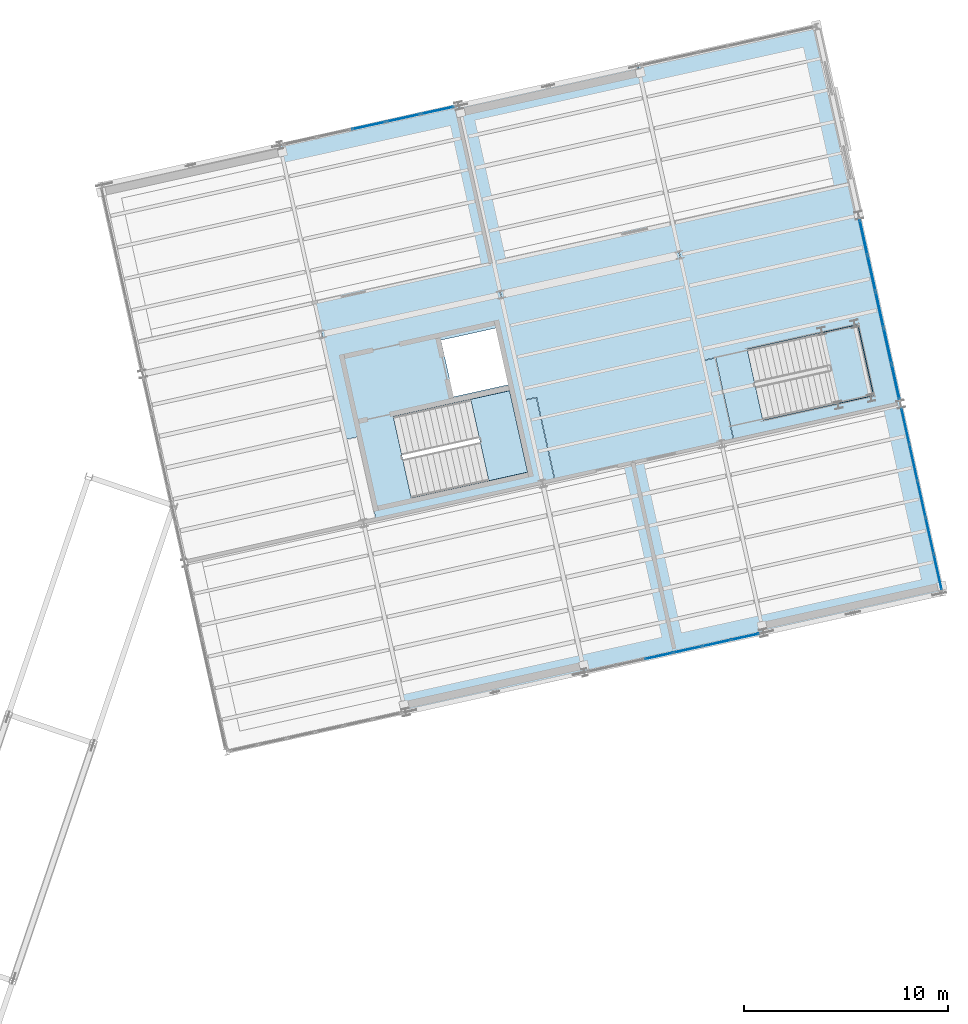
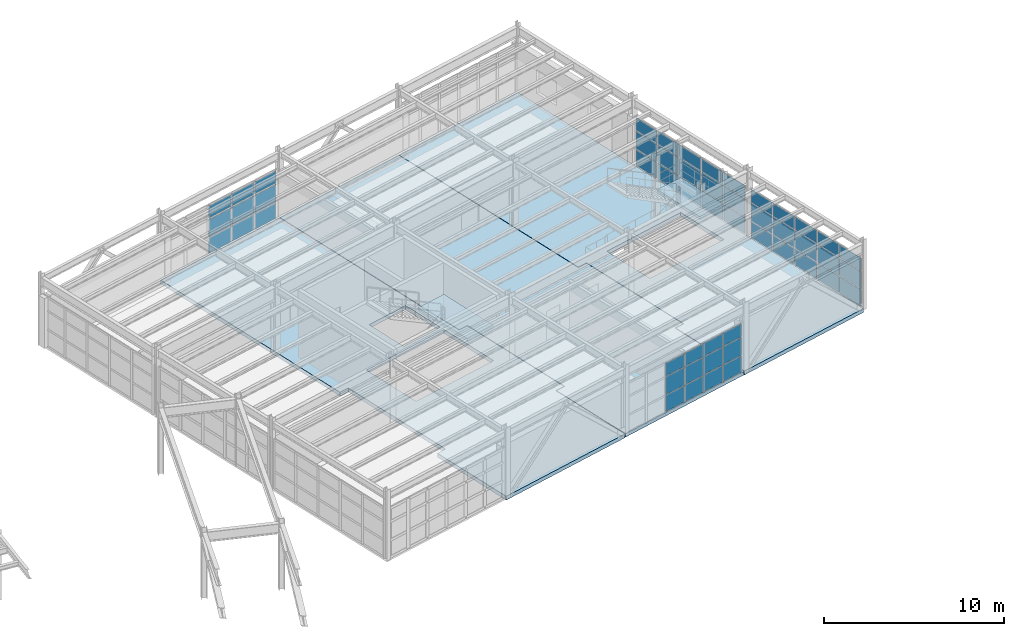
# One storey, part 75 of 109: 51 plates, 5 slabs, 6 elements without a shape of their own.
"""IFC4 building model written with IfcOpenShell, lengths in metres."""

from ifc_helpers import new_model, si_unit, direction, frame, origin, origin_2d, place, context, subcontext, project, spatial, polyline, rectangle, outline, extrude, material, layer, layer_set, type_object, element, aggregate, save


model = new_model("IFC4")

# Units and contexts
model_context = context("Model", 3, precision=1e-05, world=origin(), true_north=direction((0.0, 1.0)))
body_context = subcontext(model_context, "Body", "Model", "MODEL_VIEW")
ifc_project = project(units=[si_unit("LENGTHUNIT", "METRE"), si_unit("AREAUNIT", "SQUARE_METRE"), si_unit("VOLUMEUNIT", "CUBIC_METRE"), si_unit("PLANEANGLEUNIT", "RADIAN"), si_unit("MASSUNIT", "GRAM", prefix="KILO")], contexts=[model_context])

# Site, building, storey
site_placement = place(None, origin())
site = spatial("IfcSite", under=ifc_project, at=site_placement, CompositionType="ELEMENT")
building_placement = place(site_placement, origin())
building = spatial("IfcBuilding", under=site, at=building_placement, Name="Vireo Bluff Cable Station", CompositionType="ELEMENT")
storey_placement = place(building_placement, frame((0.0, 0.0, 4.800048828125)))
storey = spatial("IfcBuildingStorey", under=building, at=storey_placement, Name="L01", CompositionType="ELEMENT", Elevation=4.800048828125)

# Curtain wall, plates
ifc_material_1 = material(Name="Anodized Aluminium 6063-T6", Category="aluminium")
ifc_layer_1 = layer(ifc_material_1, 0.159912109375, Name="Anodized Aluminium 6063-T6")
ifc_layer_set_1 = layer_set([ifc_layer_1], Name="Anodized Aluminium 6063-T6")
curtain_wall_type_1 = type_object("IfcCurtainWallType", Name="CW-STICK-1750", PredefinedType="USERDEFINED", material=ifc_layer_set_1)
curtain_wall_1_placement = place(storey_placement, origin())
curtain_wall_1 = element("IfcCurtainWall", 1, at=curtain_wall_1_placement, inside=storey, type_object=curtain_wall_type_1, Name="V2 L01 east curtain wall CW-050", ObjectType="STICK CURTAIN WALL", PredefinedType="USERDEFINED")
ifc_material_2 = material(Name="Laminated Low-E Insulated Glass", Category="glass")
ifc_layer_2 = layer(ifc_material_2, 0.028076171875, Name="Laminated Low-E Insulated Glass")
ifc_layer_set_2 = layer_set([ifc_layer_2], Name="Laminated Low-E Insulated Glass")
plate_type_1 = type_object("IfcPlateType", Name="CWP-28-1", PredefinedType="CURTAIN_PANEL", material=ifc_layer_set_2)
plate_1_placement = place(storey_placement, frame((159.33203125, 89.977294921875, 0.059814453125), z_axis=(0.0, 0.0, 1.0), x_axis=(0.216439612405, -0.97629600746, 0.0)))
plate_1 = element("IfcPlate", 2, at=plate_1_placement, type_object=plate_type_1, Name="CW-050 panel 1.1", PredefinedType="CURTAIN_PANEL", context=body_context, shape_type="SweptSolid", body=[
    extrude(rectangle(XDim=1.74755859375, YDim=0.028076171875, at=origin_2d()), origin(), (0.0, 0.0, 1.0), 1.10009765625),
])
plate_2_placement = place(storey_placement, frame((159.33203125, 89.977294921875, 1.2197265625), z_axis=(0.0, 0.0, 1.0), x_axis=(0.216439612405, -0.97629600746, 0.0)))
plate_2 = element("IfcPlate", 3, at=plate_2_placement, type_object=plate_type_1, Name="CW-050 panel 1.2", PredefinedType="CURTAIN_PANEL", context=body_context, shape_type="SweptSolid", body=[
    extrude(rectangle(XDim=1.74755859375, YDim=0.028076171875, at=origin_2d()), origin(), (0.0, 0.0, 1.0), 1.197998046875),
])
plate_3_placement = place(storey_placement, frame((159.33203125, 89.977294921875, 2.47802734375), z_axis=(0.0, 0.0, 1.0), x_axis=(0.216439612405, -0.97629600746, 0.0)))
plate_3 = element("IfcPlate", 4, at=plate_3_placement, type_object=plate_type_1, Name="CW-050 panel 1.3", PredefinedType="CURTAIN_PANEL", context=body_context, shape_type="SweptSolid", body=[
    extrude(rectangle(XDim=1.74755859375, YDim=0.028076171875, at=origin_2d()), origin(), (0.0, 0.0, 1.0), 0.862060546875),
])
plate_4_placement = place(storey_placement, frame((159.7265625, 88.197998046875, 0.059814453125), z_axis=(0.0, 0.0, 1.0), x_axis=(0.216439612405, -0.97629600746, 0.0)))
plate_4 = element("IfcPlate", 5, at=plate_4_placement, type_object=plate_type_1, Name="CW-050 panel 2.1", PredefinedType="CURTAIN_PANEL", context=body_context, shape_type="SweptSolid", body=[
    extrude(rectangle(XDim=1.777587890625, YDim=0.028076171875, at=origin_2d()), origin(), (0.0, 0.0, 1.0), 1.10009765625),
])
plate_5_placement = place(storey_placement, frame((159.7265625, 88.197998046875, 1.2197265625), z_axis=(0.0, 0.0, 1.0), x_axis=(0.216439612405, -0.97629600746, 0.0)))
plate_5 = element("IfcPlate", 6, at=plate_5_placement, type_object=plate_type_1, Name="CW-050 panel 2.2", PredefinedType="CURTAIN_PANEL", context=body_context, shape_type="SweptSolid", body=[
    extrude(rectangle(XDim=1.777587890625, YDim=0.028076171875, at=origin_2d()), origin(), (0.0, 0.0, 1.0), 1.197998046875),
])
plate_6_placement = place(storey_placement, frame((159.7265625, 88.197998046875, 2.47802734375), z_axis=(0.0, 0.0, 1.0), x_axis=(0.216439612405, -0.97629600746, 0.0)))
plate_6 = element("IfcPlate", 7, at=plate_6_placement, type_object=plate_type_1, Name="CW-050 panel 2.3", PredefinedType="CURTAIN_PANEL", context=body_context, shape_type="SweptSolid", body=[
    extrude(rectangle(XDim=1.777587890625, YDim=0.028076171875, at=origin_2d()), origin(), (0.0, 0.0, 1.0), 0.862060546875),
])
plate_7_placement = place(storey_placement, frame((160.124267578125, 86.40380859375, 0.059814453125), z_axis=(0.0, 0.0, 1.0), x_axis=(0.216439612405, -0.97629600746, 0.0)))
plate_7 = element("IfcPlate", 8, at=plate_7_placement, type_object=plate_type_1, Name="CW-050 panel 3.1", PredefinedType="CURTAIN_PANEL", context=body_context, shape_type="SweptSolid", body=[
    extrude(rectangle(XDim=1.777587890625, YDim=0.028076171875, at=origin_2d()), origin(), (0.0, 0.0, 1.0), 1.10009765625),
])
plate_8_placement = place(storey_placement, frame((160.124267578125, 86.40380859375, 1.2197265625), z_axis=(0.0, 0.0, 1.0), x_axis=(0.216439612405, -0.97629600746, 0.0)))
plate_8 = element("IfcPlate", 9, at=plate_8_placement, type_object=plate_type_1, Name="CW-050 panel 3.2", PredefinedType="CURTAIN_PANEL", context=body_context, shape_type="SweptSolid", body=[
    extrude(rectangle(XDim=1.777587890625, YDim=0.028076171875, at=origin_2d()), origin(), (0.0, 0.0, 1.0), 1.197998046875),
])
plate_9_placement = place(storey_placement, frame((160.124267578125, 86.40380859375, 2.47802734375), z_axis=(0.0, 0.0, 1.0), x_axis=(0.216439612405, -0.97629600746, 0.0)))
plate_9 = element("IfcPlate", 10, at=plate_9_placement, type_object=plate_type_1, Name="CW-050 panel 3.3", PredefinedType="CURTAIN_PANEL", context=body_context, shape_type="SweptSolid", body=[
    extrude(rectangle(XDim=1.777587890625, YDim=0.028076171875, at=origin_2d()), origin(), (0.0, 0.0, 1.0), 0.862060546875),
])
plate_10_placement = place(storey_placement, frame((160.52197265625, 84.60986328125, 0.059814453125), z_axis=(0.0, 0.0, 1.0), x_axis=(0.216439612405, -0.97629600746, 0.0)))
plate_10 = element("IfcPlate", 11, at=plate_10_placement, type_object=plate_type_1, Name="CW-050 panel 4.1", PredefinedType="CURTAIN_PANEL", context=body_context, shape_type="SweptSolid", body=[
    extrude(rectangle(XDim=1.777587890625, YDim=0.028076171875, at=origin_2d()), origin(), (0.0, 0.0, 1.0), 1.10009765625),
])
plate_11_placement = place(storey_placement, frame((160.52197265625, 84.60986328125, 1.2197265625), z_axis=(0.0, 0.0, 1.0), x_axis=(0.216439612405, -0.97629600746, 0.0)))
plate_11 = element("IfcPlate", 12, at=plate_11_placement, type_object=plate_type_1, Name="CW-050 panel 4.2", PredefinedType="CURTAIN_PANEL", context=body_context, shape_type="SweptSolid", body=[
    extrude(rectangle(XDim=1.777587890625, YDim=0.028076171875, at=origin_2d()), origin(), (0.0, 0.0, 1.0), 1.197998046875),
])
plate_12_placement = place(storey_placement, frame((160.52197265625, 84.60986328125, 2.47802734375), z_axis=(0.0, 0.0, 1.0), x_axis=(0.216439612405, -0.97629600746, 0.0)))
plate_12 = element("IfcPlate", 13, at=plate_12_placement, type_object=plate_type_1, Name="CW-050 panel 4.3", PredefinedType="CURTAIN_PANEL", context=body_context, shape_type="SweptSolid", body=[
    extrude(rectangle(XDim=1.777587890625, YDim=0.028076171875, at=origin_2d()), origin(), (0.0, 0.0, 1.0), 0.862060546875),
])
plate_13_placement = place(storey_placement, frame((160.91650390625, 82.830322265625, 0.059814453125), z_axis=(0.0, 0.0, 1.0), x_axis=(0.216439612405, -0.97629600746, 0.0)))
plate_13 = element("IfcPlate", 14, at=plate_13_placement, type_object=plate_type_1, Name="CW-050 panel 5.1", PredefinedType="CURTAIN_PANEL", context=body_context, shape_type="SweptSolid", body=[
    extrude(rectangle(XDim=1.74755859375, YDim=0.028076171875, at=origin_2d()), origin(), (0.0, 0.0, 1.0), 1.10009765625),
])
plate_14_placement = place(storey_placement, frame((160.91650390625, 82.830322265625, 1.2197265625), z_axis=(0.0, 0.0, 1.0), x_axis=(0.216439612405, -0.97629600746, 0.0)))
plate_14 = element("IfcPlate", 15, at=plate_14_placement, type_object=plate_type_1, Name="CW-050 panel 5.2", PredefinedType="CURTAIN_PANEL", context=body_context, shape_type="SweptSolid", body=[
    extrude(rectangle(XDim=1.74755859375, YDim=0.028076171875, at=origin_2d()), origin(), (0.0, 0.0, 1.0), 1.197998046875),
])
plate_15_placement = place(storey_placement, frame((160.91650390625, 82.830322265625, 2.47802734375), z_axis=(0.0, 0.0, 1.0), x_axis=(0.216439612405, -0.97629600746, 0.0)))
plate_15 = element("IfcPlate", 16, at=plate_15_placement, type_object=plate_type_1, Name="CW-050 panel 5.3", PredefinedType="CURTAIN_PANEL", context=body_context, shape_type="SweptSolid", body=[
    extrude(rectangle(XDim=1.74755859375, YDim=0.028076171875, at=origin_2d()), origin(), (0.0, 0.0, 1.0), 0.862060546875),
])
aggregate(curtain_wall_1, [plate_1, plate_2, plate_3, plate_4, plate_5, plate_6, plate_7, plate_8, plate_9, plate_10, plate_11, plate_12, plate_13, plate_14, plate_15])

ifc_layer_3 = layer(ifc_material_1, 0.179931640625, Name="Anodized Aluminium 6063-T6")
ifc_layer_set_3 = layer_set([ifc_layer_3], Name="Anodized Aluminium 6063-T6")
curtain_wall_type_2 = type_object("IfcCurtainWallType", Name="CW-UNIT-1400", PredefinedType="USERDEFINED", material=ifc_layer_set_3)
curtain_wall_2_placement = place(storey_placement, origin())
curtain_wall_2 = element("IfcCurtainWall", 17, at=curtain_wall_2_placement, inside=storey, type_object=curtain_wall_type_2, Name="V2 L01 south curtain wall CW-042", ObjectType="UNITISED CURTAIN WALL", PredefinedType="USERDEFINED")
ifc_layer_4 = layer(ifc_material_2, 0.035888671875, Name="Laminated Low-E Insulated Glass")
ifc_layer_set_4 = layer_set([ifc_layer_4], Name="Laminated Low-E Insulated Glass")
plate_type_2 = type_object("IfcPlateType", Name="CWP-36-3", PredefinedType="CURTAIN_PANEL", material=ifc_layer_set_4)
plate_16_placement = place(storey_placement, frame((151.456298828125, 79.6435546875, 0.059814453125), z_axis=(0.0, 0.0, 1.0), x_axis=(-0.976296005412, -0.21643962164, 0.0)))
plate_16 = element("IfcPlate", 18, at=plate_16_placement, type_object=plate_type_2, Name="CW-042 panel 1.1", PredefinedType="CURTAIN_PANEL", context=body_context, shape_type="SweptSolid", body=[
    extrude(rectangle(XDim=1.357177734375, YDim=0.035888671875, at=origin_2d()), origin(), (0.0, 0.0, 1.0), 1.10009765625),
])
plate_17_placement = place(storey_placement, frame((151.456298828125, 79.6435546875, 1.2197265625), z_axis=(0.0, 0.0, 1.0), x_axis=(-0.976296005412, -0.21643962164, 0.0)))
plate_17 = element("IfcPlate", 19, at=plate_17_placement, type_object=plate_type_2, Name="CW-042 panel 1.2", PredefinedType="CURTAIN_PANEL", context=body_context, shape_type="SweptSolid", body=[
    extrude(rectangle(XDim=1.357177734375, YDim=0.035888671875, at=origin_2d()), origin(), (0.0, 0.0, 1.0), 1.197998046875),
])
plate_18_placement = place(storey_placement, frame((151.456298828125, 79.6435546875, 2.47802734375), z_axis=(0.0, 0.0, 1.0), x_axis=(-0.976296005412, -0.21643962164, 0.0)))
plate_18 = element("IfcPlate", 20, at=plate_18_placement, type_object=plate_type_2, Name="CW-042 panel 1.3", PredefinedType="CURTAIN_PANEL", context=body_context, shape_type="SweptSolid", body=[
    extrude(rectangle(XDim=1.357177734375, YDim=0.035888671875, at=origin_2d()), origin(), (0.0, 0.0, 1.0), 0.862060546875),
])
plate_19_placement = place(storey_placement, frame((150.058349609375, 79.33349609375, 0.059814453125), z_axis=(0.0, 0.0, 1.0), x_axis=(-0.976296005412, -0.21643962164, 0.0)))
plate_19 = element("IfcPlate", 21, at=plate_19_placement, type_object=plate_type_2, Name="CW-042 panel 2.1", PredefinedType="CURTAIN_PANEL", context=body_context, shape_type="SweptSolid", body=[
    extrude(rectangle(XDim=1.386962890625, YDim=0.035888671875, at=origin_2d()), origin(), (0.0, 0.0, 1.0), 1.10009765625),
])
plate_20_placement = place(storey_placement, frame((150.058349609375, 79.33349609375, 1.2197265625), z_axis=(0.0, 0.0, 1.0), x_axis=(-0.976296005412, -0.21643962164, 0.0)))
plate_20 = element("IfcPlate", 22, at=plate_20_placement, type_object=plate_type_2, Name="CW-042 panel 2.2", PredefinedType="CURTAIN_PANEL", context=body_context, shape_type="SweptSolid", body=[
    extrude(rectangle(XDim=1.386962890625, YDim=0.035888671875, at=origin_2d()), origin(), (0.0, 0.0, 1.0), 1.197998046875),
])
plate_21_placement = place(storey_placement, frame((150.058349609375, 79.33349609375, 2.47802734375), z_axis=(0.0, 0.0, 1.0), x_axis=(-0.976296005412, -0.21643962164, 0.0)))
plate_21 = element("IfcPlate", 23, at=plate_21_placement, type_object=plate_type_2, Name="CW-042 panel 2.3", PredefinedType="CURTAIN_PANEL", context=body_context, shape_type="SweptSolid", body=[
    extrude(rectangle(XDim=1.386962890625, YDim=0.035888671875, at=origin_2d()), origin(), (0.0, 0.0, 1.0), 0.862060546875),
])
plate_22_placement = place(storey_placement, frame((148.6455078125, 79.020263671875, 0.059814453125), z_axis=(0.0, 0.0, 1.0), x_axis=(-0.976296005412, -0.21643962164, 0.0)))
plate_22 = element("IfcPlate", 24, at=plate_22_placement, type_object=plate_type_2, Name="CW-042 panel 3.1", PredefinedType="CURTAIN_PANEL", context=body_context, shape_type="SweptSolid", body=[
    extrude(rectangle(XDim=1.386962890625, YDim=0.035888671875, at=origin_2d()), origin(), (0.0, 0.0, 1.0), 1.10009765625),
])
plate_23_placement = place(storey_placement, frame((148.6455078125, 79.020263671875, 1.2197265625), z_axis=(0.0, 0.0, 1.0), x_axis=(-0.976296005412, -0.21643962164, 0.0)))
plate_23 = element("IfcPlate", 25, at=plate_23_placement, type_object=plate_type_2, Name="CW-042 panel 3.2", PredefinedType="CURTAIN_PANEL", context=body_context, shape_type="SweptSolid", body=[
    extrude(rectangle(XDim=1.386962890625, YDim=0.035888671875, at=origin_2d()), origin(), (0.0, 0.0, 1.0), 1.197998046875),
])
plate_24_placement = place(storey_placement, frame((148.6455078125, 79.020263671875, 2.47802734375), z_axis=(0.0, 0.0, 1.0), x_axis=(-0.976296005412, -0.21643962164, 0.0)))
plate_24 = element("IfcPlate", 26, at=plate_24_placement, type_object=plate_type_2, Name="CW-042 panel 3.3", PredefinedType="CURTAIN_PANEL", context=body_context, shape_type="SweptSolid", body=[
    extrude(rectangle(XDim=1.386962890625, YDim=0.035888671875, at=origin_2d()), origin(), (0.0, 0.0, 1.0), 0.862060546875),
])
plate_25_placement = place(storey_placement, frame((147.232666015625, 78.707275390625, 0.059814453125), z_axis=(0.0, 0.0, 1.0), x_axis=(-0.976296005412, -0.21643962164, 0.0)))
plate_25 = element("IfcPlate", 27, at=plate_25_placement, type_object=plate_type_2, Name="CW-042 panel 4.1", PredefinedType="CURTAIN_PANEL", context=body_context, shape_type="SweptSolid", body=[
    extrude(rectangle(XDim=1.386962890625, YDim=0.035888671875, at=origin_2d()), origin(), (0.0, 0.0, 1.0), 1.10009765625),
])
plate_26_placement = place(storey_placement, frame((147.232666015625, 78.707275390625, 1.2197265625), z_axis=(0.0, 0.0, 1.0), x_axis=(-0.976296005412, -0.21643962164, 0.0)))
plate_26 = element("IfcPlate", 28, at=plate_26_placement, type_object=plate_type_2, Name="CW-042 panel 4.2", PredefinedType="CURTAIN_PANEL", context=body_context, shape_type="SweptSolid", body=[
    extrude(rectangle(XDim=1.386962890625, YDim=0.035888671875, at=origin_2d()), origin(), (0.0, 0.0, 1.0), 1.197998046875),
])
plate_27_placement = place(storey_placement, frame((147.232666015625, 78.707275390625, 2.47802734375), z_axis=(0.0, 0.0, 1.0), x_axis=(-0.976296005412, -0.21643962164, 0.0)))
plate_27 = element("IfcPlate", 29, at=plate_27_placement, type_object=plate_type_2, Name="CW-042 panel 4.3", PredefinedType="CURTAIN_PANEL", context=body_context, shape_type="SweptSolid", body=[
    extrude(rectangle(XDim=1.386962890625, YDim=0.035888671875, at=origin_2d()), origin(), (0.0, 0.0, 1.0), 0.862060546875),
])
aggregate(curtain_wall_2, [plate_16, plate_17, plate_18, plate_19, plate_20, plate_21, plate_22, plate_23, plate_24, plate_25, plate_26, plate_27])

ifc_layer_5 = layer(ifc_material_1, 0.179931640625, Name="Anodized Aluminium 6063-T6")
ifc_layer_set_5 = layer_set([ifc_layer_5], Name="Anodized Aluminium 6063-T6")
curtain_wall_type_3 = type_object("IfcCurtainWallType", Name="CW-UNIT-1650", PredefinedType="USERDEFINED", material=ifc_layer_set_5)
curtain_wall_3_placement = place(storey_placement, origin())
curtain_wall_3 = element("IfcCurtainWall", 30, at=curtain_wall_3_placement, inside=storey, type_object=curtain_wall_type_3, Name="V2 L01 north curtain wall CW-047", ObjectType="UNITISED CURTAIN WALL", PredefinedType="USERDEFINED")
plate_28_placement = place(storey_placement, frame((132.98388671875, 104.740234375, 0.080078125), z_axis=(0.0, 0.0, 1.0), x_axis=(0.976296005412, 0.21643962164, 0.0)))
plate_28 = element("IfcPlate", 31, at=plate_28_placement, type_object=plate_type_2, Name="CW-047 panel 3.1", PredefinedType="CURTAIN_PANEL", context=body_context, shape_type="SweptSolid", body=[
    extrude(rectangle(XDim=1.656494140625, YDim=0.035888671875, at=origin_2d()), origin(), (0.0, 0.0, 1.0), 1.070068359375),
])
plate_29_placement = place(storey_placement, frame((132.98388671875, 104.740234375, 1.22998046875), z_axis=(0.0, 0.0, 1.0), x_axis=(0.976296005412, 0.21643962164, 0.0)))
plate_29 = element("IfcPlate", 32, at=plate_29_placement, type_object=plate_type_2, Name="CW-047 panel 3.2", PredefinedType="CURTAIN_PANEL", context=body_context, shape_type="SweptSolid", body=[
    extrude(rectangle(XDim=1.656494140625, YDim=0.035888671875, at=origin_2d()), origin(), (0.0, 0.0, 1.0), 1.177978515625),
])
plate_30_placement = place(storey_placement, frame((132.98388671875, 104.740234375, 2.488037109375), z_axis=(0.0, 0.0, 1.0), x_axis=(0.976296005412, 0.21643962164, 0.0)))
plate_30 = element("IfcPlate", 33, at=plate_30_placement, type_object=plate_type_2, Name="CW-047 panel 3.3", PredefinedType="CURTAIN_PANEL", context=body_context, shape_type="SweptSolid", body=[
    extrude(rectangle(XDim=1.656494140625, YDim=0.035888671875, at=origin_2d()), origin(), (0.0, 0.0, 1.0), 0.83203125),
])
plate_31_placement = place(storey_placement, frame((134.67919921875, 105.1162109375, 0.080078125), z_axis=(0.0, 0.0, 1.0), x_axis=(0.976296005412, 0.21643962164, 0.0)))
plate_31 = element("IfcPlate", 34, at=plate_31_placement, type_object=plate_type_2, Name="CW-047 panel 4.1", PredefinedType="CURTAIN_PANEL", context=body_context, shape_type="SweptSolid", body=[
    extrude(rectangle(XDim=1.656494140625, YDim=0.035888671875, at=origin_2d()), origin(), (0.0, 0.0, 1.0), 1.070068359375),
])
plate_32_placement = place(storey_placement, frame((134.67919921875, 105.1162109375, 1.22998046875), z_axis=(0.0, 0.0, 1.0), x_axis=(0.976296005412, 0.21643962164, 0.0)))
plate_32 = element("IfcPlate", 35, at=plate_32_placement, type_object=plate_type_2, Name="CW-047 panel 4.2", PredefinedType="CURTAIN_PANEL", context=body_context, shape_type="SweptSolid", body=[
    extrude(rectangle(XDim=1.656494140625, YDim=0.035888671875, at=origin_2d()), origin(), (0.0, 0.0, 1.0), 1.177978515625),
])
plate_33_placement = place(storey_placement, frame((134.67919921875, 105.1162109375, 2.488037109375), z_axis=(0.0, 0.0, 1.0), x_axis=(0.976296005412, 0.21643962164, 0.0)))
plate_33 = element("IfcPlate", 36, at=plate_33_placement, type_object=plate_type_2, Name="CW-047 panel 4.3", PredefinedType="CURTAIN_PANEL", context=body_context, shape_type="SweptSolid", body=[
    extrude(rectangle(XDim=1.656494140625, YDim=0.035888671875, at=origin_2d()), origin(), (0.0, 0.0, 1.0), 0.83203125),
])
plate_34_placement = place(storey_placement, frame((136.35498046875, 105.487548828125, 0.080078125), z_axis=(0.0, 0.0, 1.0), x_axis=(0.976296005412, 0.21643962164, 0.0)))
plate_34 = element("IfcPlate", 37, at=plate_34_placement, type_object=plate_type_2, Name="CW-047 panel 5.1", PredefinedType="CURTAIN_PANEL", context=body_context, shape_type="SweptSolid", body=[
    extrude(rectangle(XDim=1.616455078125, YDim=0.035888671875, at=origin_2d()), origin(), (0.0, 0.0, 1.0), 1.070068359375),
])
plate_35_placement = place(storey_placement, frame((136.35498046875, 105.487548828125, 1.22998046875), z_axis=(0.0, 0.0, 1.0), x_axis=(0.976296005412, 0.21643962164, 0.0)))
plate_35 = element("IfcPlate", 38, at=plate_35_placement, type_object=plate_type_2, Name="CW-047 panel 5.2", PredefinedType="CURTAIN_PANEL", context=body_context, shape_type="SweptSolid", body=[
    extrude(rectangle(XDim=1.616455078125, YDim=0.035888671875, at=origin_2d()), origin(), (0.0, 0.0, 1.0), 1.177978515625),
])
plate_36_placement = place(storey_placement, frame((136.35498046875, 105.487548828125, 2.488037109375), z_axis=(0.0, 0.0, 1.0), x_axis=(0.976296005412, 0.21643962164, 0.0)))
plate_36 = element("IfcPlate", 39, at=plate_36_placement, type_object=plate_type_2, Name="CW-047 panel 5.3", PredefinedType="CURTAIN_PANEL", context=body_context, shape_type="SweptSolid", body=[
    extrude(rectangle(XDim=1.616455078125, YDim=0.035888671875, at=origin_2d()), origin(), (0.0, 0.0, 1.0), 0.83203125),
])
aggregate(curtain_wall_3, [plate_28, plate_29, plate_30, plate_31, plate_32, plate_33, plate_34, plate_35, plate_36])

ifc_layer_6 = layer(ifc_material_1, 0.159912109375, Name="Anodized Aluminium 6063-T6")
ifc_layer_set_6 = layer_set([ifc_layer_6], Name="Anodized Aluminium 6063-T6")
curtain_wall_type_4 = type_object("IfcCurtainWallType", Name="CW-STICK-1850", PredefinedType="USERDEFINED", material=ifc_layer_set_6)
curtain_wall_4_placement = place(storey_placement, origin())
curtain_wall_4 = element("IfcCurtainWall", 40, at=curtain_wall_4_placement, inside=storey, type_object=curtain_wall_type_4, Name="V2 L01 east curtain wall CW-049", ObjectType="STICK CURTAIN WALL", PredefinedType="USERDEFINED")
ifc_material_3 = material(Name="Insulated Spandrel Glass Panel", Category="glass")
ifc_layer_7 = layer(ifc_material_3, 0.048095703125, Name="Insulated Spandrel Glass Panel")
ifc_layer_set_7 = layer_set([ifc_layer_7], Name="Insulated Spandrel Glass Panel")
plate_type_3 = type_object("IfcPlateType", Name="CWP-48-5", PredefinedType="CURTAIN_PANEL", material=ifc_layer_set_7)
plate_37_placement = place(storey_placement, frame((157.275390625, 99.25341796875, 0.0751953125), z_axis=(0.0, 0.0, 1.0), x_axis=(0.21643958872, -0.976296012711, 0.0)))
plate_37 = element("IfcPlate", 41, at=plate_37_placement, type_object=plate_type_3, Name="CW-049 panel 1.1", PredefinedType="CURTAIN_PANEL", context=body_context, shape_type="SweptSolid", body=[
    extrude(rectangle(XDim=1.714599609375, YDim=0.048095703125, at=origin_2d()), origin(), (0.0, 0.0, 1.0), 1.077392578125),
])
plate_38_placement = place(storey_placement, frame((157.275390625, 99.25341796875, 1.227294921875), z_axis=(0.0, 0.0, 1.0), x_axis=(0.21643958872, -0.976296012711, 0.0)))
plate_38 = element("IfcPlate", 42, at=plate_38_placement, type_object=plate_type_3, Name="CW-049 panel 1.2", PredefinedType="CURTAIN_PANEL", context=body_context, shape_type="SweptSolid", body=[
    extrude(rectangle(XDim=1.714599609375, YDim=0.048095703125, at=origin_2d()), origin(), (0.0, 0.0, 1.0), 1.18310546875),
])
plate_39_placement = place(storey_placement, frame((157.275390625, 99.25341796875, 2.4853515625), z_axis=(0.0, 0.0, 1.0), x_axis=(0.21643958872, -0.976296012711, 0.0)))
plate_39 = element("IfcPlate", 43, at=plate_39_placement, type_object=plate_type_3, Name="CW-049 panel 1.3", PredefinedType="CURTAIN_PANEL", context=body_context, shape_type="SweptSolid", body=[
    extrude(rectangle(XDim=1.714599609375, YDim=0.048095703125, at=origin_2d()), origin(), (0.0, 0.0, 1.0), 0.839599609375),
])
plate_40_placement = place(storey_placement, frame((157.6669921875, 97.488037109375, 0.0751953125), z_axis=(0.0, 0.0, 1.0), x_axis=(0.21643958872, -0.976296012711, 0.0)))
plate_40 = element("IfcPlate", 44, at=plate_40_placement, type_object=plate_type_3, Name="CW-049 panel 2.1", PredefinedType="CURTAIN_PANEL", context=body_context, shape_type="SweptSolid", body=[
    extrude(rectangle(XDim=1.752197265625, YDim=0.048095703125, at=origin_2d()), origin(), (0.0, 0.0, 1.0), 1.077392578125),
])
plate_41_placement = place(storey_placement, frame((157.6669921875, 97.488037109375, 1.227294921875), z_axis=(0.0, 0.0, 1.0), x_axis=(0.21643958872, -0.976296012711, 0.0)))
plate_41 = element("IfcPlate", 45, at=plate_41_placement, type_object=plate_type_3, Name="CW-049 panel 2.2", PredefinedType="CURTAIN_PANEL", context=body_context, shape_type="SweptSolid", body=[
    extrude(rectangle(XDim=1.752197265625, YDim=0.048095703125, at=origin_2d()), origin(), (0.0, 0.0, 1.0), 1.18310546875),
])
plate_42_placement = place(storey_placement, frame((157.6669921875, 97.488037109375, 2.4853515625), z_axis=(0.0, 0.0, 1.0), x_axis=(0.21643958872, -0.976296012711, 0.0)))
plate_42 = element("IfcPlate", 46, at=plate_42_placement, type_object=plate_type_3, Name="CW-049 panel 2.3", PredefinedType="CURTAIN_PANEL", context=body_context, shape_type="SweptSolid", body=[
    extrude(rectangle(XDim=1.752197265625, YDim=0.048095703125, at=origin_2d()), origin(), (0.0, 0.0, 1.0), 0.839599609375),
])
plate_43_placement = place(storey_placement, frame((158.0625, 95.7041015625, 0.0751953125), z_axis=(0.0, 0.0, 1.0), x_axis=(0.21643958872, -0.976296012711, 0.0)))
plate_43 = element("IfcPlate", 47, at=plate_43_placement, type_object=plate_type_3, Name="CW-049 panel 3.1", PredefinedType="CURTAIN_PANEL", context=body_context, shape_type="SweptSolid", body=[
    extrude(rectangle(XDim=1.752197265625, YDim=0.048095703125, at=origin_2d()), origin(), (0.0, 0.0, 1.0), 1.077392578125),
])
plate_44_placement = place(storey_placement, frame((158.0625, 95.7041015625, 1.227294921875), z_axis=(0.0, 0.0, 1.0), x_axis=(0.21643958872, -0.976296012711, 0.0)))
plate_44 = element("IfcPlate", 48, at=plate_44_placement, type_object=plate_type_3, Name="CW-049 panel 3.2", PredefinedType="CURTAIN_PANEL", context=body_context, shape_type="SweptSolid", body=[
    extrude(rectangle(XDim=1.752197265625, YDim=0.048095703125, at=origin_2d()), origin(), (0.0, 0.0, 1.0), 1.18310546875),
])
plate_45_placement = place(storey_placement, frame((158.0625, 95.7041015625, 2.4853515625), z_axis=(0.0, 0.0, 1.0), x_axis=(0.21643958872, -0.976296012711, 0.0)))
plate_45 = element("IfcPlate", 49, at=plate_45_placement, type_object=plate_type_3, Name="CW-049 panel 3.3", PredefinedType="CURTAIN_PANEL", context=body_context, shape_type="SweptSolid", body=[
    extrude(rectangle(XDim=1.752197265625, YDim=0.048095703125, at=origin_2d()), origin(), (0.0, 0.0, 1.0), 0.839599609375),
])
plate_46_placement = place(storey_placement, frame((158.457763671875, 93.920166015625, 0.0751953125), z_axis=(0.0, 0.0, 1.0), x_axis=(0.21643958872, -0.976296012711, 0.0)))
plate_46 = element("IfcPlate", 50, at=plate_46_placement, type_object=plate_type_3, Name="CW-049 panel 4.1", PredefinedType="CURTAIN_PANEL", context=body_context, shape_type="SweptSolid", body=[
    extrude(rectangle(XDim=1.752197265625, YDim=0.048095703125, at=origin_2d()), origin(), (0.0, 0.0, 1.0), 1.077392578125),
])
plate_47_placement = place(storey_placement, frame((158.457763671875, 93.920166015625, 1.227294921875), z_axis=(0.0, 0.0, 1.0), x_axis=(0.21643958872, -0.976296012711, 0.0)))
plate_47 = element("IfcPlate", 51, at=plate_47_placement, type_object=plate_type_3, Name="CW-049 panel 4.2", PredefinedType="CURTAIN_PANEL", context=body_context, shape_type="SweptSolid", body=[
    extrude(rectangle(XDim=1.752197265625, YDim=0.048095703125, at=origin_2d()), origin(), (0.0, 0.0, 1.0), 1.18310546875),
])
plate_48_placement = place(storey_placement, frame((158.457763671875, 93.920166015625, 2.4853515625), z_axis=(0.0, 0.0, 1.0), x_axis=(0.21643958872, -0.976296012711, 0.0)))
plate_48 = element("IfcPlate", 52, at=plate_48_placement, type_object=plate_type_3, Name="CW-049 panel 4.3", PredefinedType="CURTAIN_PANEL", context=body_context, shape_type="SweptSolid", body=[
    extrude(rectangle(XDim=1.752197265625, YDim=0.048095703125, at=origin_2d()), origin(), (0.0, 0.0, 1.0), 0.839599609375),
])
plate_49_placement = place(storey_placement, frame((158.849365234375, 92.154541015625, 0.0751953125), z_axis=(0.0, 0.0, 1.0), x_axis=(0.21643958872, -0.976296012711, 0.0)))
plate_49 = element("IfcPlate", 53, at=plate_49_placement, type_object=plate_type_3, Name="CW-049 panel 5.1", PredefinedType="CURTAIN_PANEL", context=body_context, shape_type="SweptSolid", body=[
    extrude(rectangle(XDim=1.714599609375, YDim=0.048095703125, at=origin_2d()), origin(), (0.0, 0.0, 1.0), 1.077392578125),
])
plate_50_placement = place(storey_placement, frame((158.849365234375, 92.154541015625, 1.227294921875), z_axis=(0.0, 0.0, 1.0), x_axis=(0.21643958872, -0.976296012711, 0.0)))
plate_50 = element("IfcPlate", 54, at=plate_50_placement, type_object=plate_type_3, Name="CW-049 panel 5.2", PredefinedType="CURTAIN_PANEL", context=body_context, shape_type="SweptSolid", body=[
    extrude(rectangle(XDim=1.714599609375, YDim=0.048095703125, at=origin_2d()), origin(), (0.0, 0.0, 1.0), 1.18310546875),
])
plate_51_placement = place(storey_placement, frame((158.849365234375, 92.154541015625, 2.4853515625), z_axis=(0.0, 0.0, 1.0), x_axis=(0.21643958872, -0.976296012711, 0.0)))
plate_51 = element("IfcPlate", 55, at=plate_51_placement, type_object=plate_type_3, Name="CW-049 panel 5.3", PredefinedType="CURTAIN_PANEL", context=body_context, shape_type="SweptSolid", body=[
    extrude(rectangle(XDim=1.714599609375, YDim=0.048095703125, at=origin_2d()), origin(), (0.0, 0.0, 1.0), 0.839599609375),
])
aggregate(curtain_wall_4, [plate_37, plate_38, plate_39, plate_40, plate_41, plate_42, plate_43, plate_44, plate_45, plate_46, plate_47, plate_48, plate_49, plate_50, plate_51])

# Slabs
ifc_material_4 = material(Name="Concrete f'c 40 MPa", Category="concrete")
ifc_layer_8 = layer(ifc_material_4, 0.239990234375, Name="Concrete f'c 40 MPa")
ifc_layer_set_8 = layer_set([ifc_layer_8], Name="Concrete f'c 40 MPa")
slab_type_1 = type_object("IfcSlabType", Name="FLOORSLAB-240", PredefinedType="FLOOR", material=ifc_layer_set_8)
slab_1_placement = place(storey_placement, frame((0.0, 0.0, -0.239990234375)))
element("IfcSlab", 56, at=slab_1_placement, inside=storey, type_object=slab_type_1, Name="V2 L01 floor slab bay 3", PredefinedType="FLOOR", context=body_context, shape_type="SweptSolid", body=[
    extrude(outline(polyline([(143.5830078125, 77.898193359375), (152.350341796875, 79.841796875), (151.116455078125, 85.406494140625), (151.721923828125, 85.540771484375), (149.99462890625, 93.33154296875), (149.389404296875, 93.197509765625), (146.181640625, 107.666259765625), (137.41455078125, 105.722412109375), (140.617919921875, 91.2734375), (141.22314453125, 91.407470703125), (142.958984375, 83.57763671875), (142.353759765625, 83.443359375), (143.5830078125, 77.898193359375)])), origin(), (0.0, 0.0, 1.0), 0.239990234375),
])
ifc_layer_9 = layer(ifc_material_4, 0.260009765625, Name="Concrete f'c 40 MPa")
ifc_layer_set_9 = layer_set([ifc_layer_9], Name="Concrete f'c 40 MPa")
slab_type_2 = type_object("IfcSlabType", Name="FLOORSLAB-260", PredefinedType="FLOOR", material=ifc_layer_set_9)
slab_2_placement = place(storey_placement, frame((0.0, 0.0, -0.260009765625)))
element("IfcSlab", 57, at=slab_2_placement, inside=storey, type_object=slab_type_2, Name="V2 L01 floor slab bay 2", PredefinedType="FLOOR", context=body_context, shape_type="SweptSolid", body=[
    extrude(outline(polyline([(134.79638671875, 75.9501953125), (143.5634765625, 77.893798828125), (142.329833984375, 83.458740234375), (142.93505859375, 83.5927734375), (141.2080078125, 91.3837890625), (140.602783203125, 91.24951171875), (137.39501953125, 105.71826171875), (128.6279296875, 103.774658203125), (131.831298828125, 89.325439453125), (132.4365234375, 89.45947265625), (134.17236328125, 81.629638671875), (133.567138671875, 81.495361328125), (134.79638671875, 75.9501953125)]), holes=[polyline([(135.069091796875, 86.458984375), (134.18212890625, 90.460205078125), (139.891845703125, 91.72607421875), (140.77880859375, 87.724853515625), (135.069091796875, 86.458984375)]), polyline([(137.143310546875, 91.42578125), (136.52685546875, 94.20654296875), (139.2099609375, 94.801513671875), (139.82666015625, 92.0205078125), (137.143310546875, 91.42578125)])]), origin(), (0.0, 0.0, 1.0), 0.260009765625),
])
slab_3_placement = place(storey_placement, frame((0.0, 0.0, -0.260009765625)))
element("IfcSlab", 58, at=slab_3_placement, inside=storey, type_object=slab_type_2, Name="V2 L01 floor slab bay 4", PredefinedType="FLOOR", context=body_context, shape_type="SweptSolid", body=[
    extrude(outline(polyline([(152.369873046875, 79.845947265625), (161.146728515625, 81.791748046875), (154.97802734375, 109.6162109375), (146.201171875, 107.67041015625), (149.404541015625, 93.22119140625), (150.009765625, 93.35546875), (151.74560546875, 85.525634765625), (151.140380859375, 85.391357421875), (152.369873046875, 79.845947265625)]), holes=[polyline([(152.330078125, 90.28564453125), (151.559814453125, 93.759765625), (156.996337890625, 94.965087890625), (157.766357421875, 91.490966796875), (152.330078125, 90.28564453125)])]), origin(), (0.0, 0.0, 1.0), 0.260009765625),
])

# Stair, slab
stair_type_1 = type_object("IfcStairType", Name="STAIR-HT-1950", PredefinedType="HALF_TURN_STAIR", material=ifc_material_4)
stair_1_placement = place(storey_placement, origin())
stair_1 = element("IfcStair", 59, at=stair_1_placement, inside=storey, type_object=stair_type_1, Name="L01 CORE-4 Exit Stair ST-04", PredefinedType="HALF_TURN_STAIR")
ifc_layer_10 = layer(ifc_material_4, 0.18994140625, Name="Concrete f'c 40 MPa")
ifc_layer_set_10 = layer_set([ifc_layer_10], Name="Concrete f'c 40 MPa")
slab_type_3 = type_object("IfcSlabType", Name="LANDING-190", PredefinedType="LANDING", material=ifc_layer_set_10)
slab_4_placement = place(storey_placement, frame((0.0, 0.0, 2.199951171875)))
slab_4 = element("IfcSlab", 60, at=slab_4_placement, type_object=slab_type_3, Name="ST-04 landing 1", PredefinedType="LANDING", context=body_context, shape_type="SweptSolid", body=[
    extrude(outline(polyline([(138.875244140625, 87.302001953125), (140.77978515625, 87.724365234375), (139.892578125, 91.72705078125), (137.98779296875, 91.304931640625), (138.875244140625, 87.302001953125)])), origin(), (0.0, 0.0, 1.0), 0.199951171875),
])
aggregate(stair_1, [slab_4])

stair_type_2 = type_object("IfcStairType", Name="STAIR-HT-1680", PredefinedType="HALF_TURN_STAIR", material=ifc_material_4)
stair_2_placement = place(storey_placement, origin())
stair_2 = element("IfcStair", 61, at=stair_2_placement, inside=storey, type_object=stair_type_2, Name="L01 Feature Concourse Stair ST-09", PredefinedType="HALF_TURN_STAIR")
ifc_layer_11 = layer(ifc_material_4, 0.199951171875, Name="Concrete f'c 40 MPa")
ifc_layer_set_11 = layer_set([ifc_layer_11], Name="Concrete f'c 40 MPa")
slab_type_4 = type_object("IfcSlabType", Name="LANDING-200", PredefinedType="LANDING", material=ifc_layer_set_11)
slab_5_placement = place(storey_placement, frame((0.0, 0.0, 2.199951171875)))
slab_5 = element("IfcSlab", 62, at=slab_5_placement, type_object=slab_type_4, Name="ST-09 landing 1", PredefinedType="LANDING", context=body_context, shape_type="SweptSolid", body=[
    extrude(outline(polyline([(156.00927734375, 91.1005859375), (157.767333984375, 91.490234375), (156.996826171875, 94.9658203125), (155.23876953125, 94.576171875), (156.00927734375, 91.1005859375)])), origin(), (0.0, 0.0, 1.0), 0.199951171875),
])
aggregate(stair_2, [slab_5])

save(model, "model.ifc")
